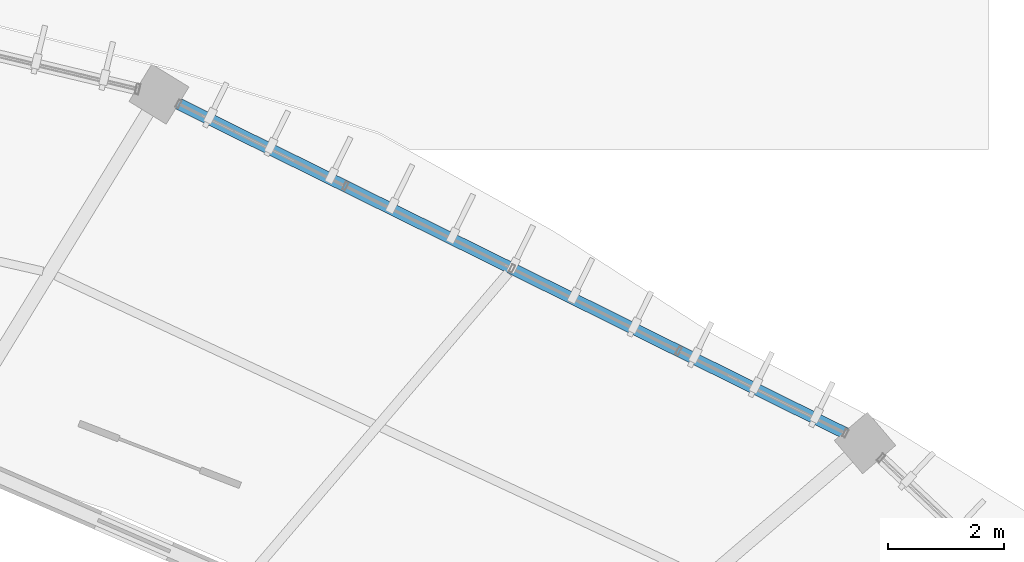
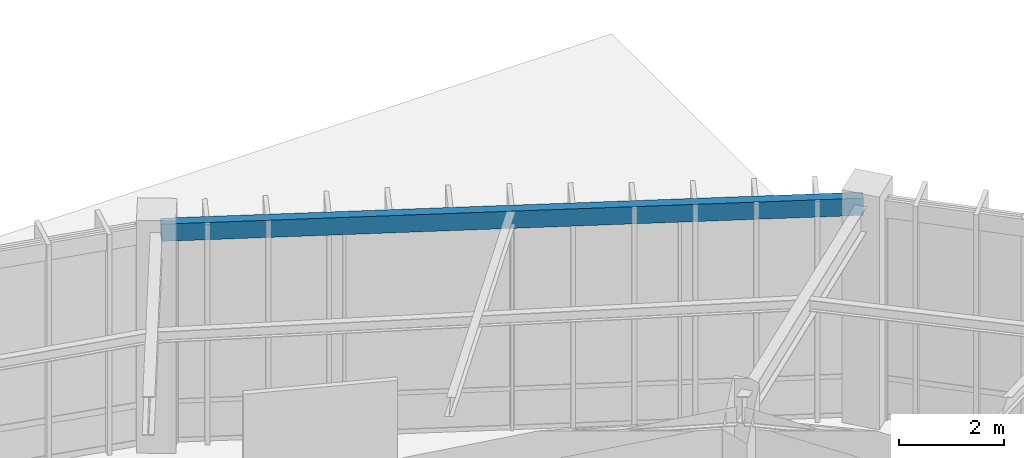
# One storey, part 83 of 157: 1 beam.
"""IFC4 building model written with IfcOpenShell, lengths in metres."""

from ifc_helpers import new_model, si_unit, direction, frame, origin, origin_2d, place, context, subcontext, project, spatial, hollow_rectangle, extrude, material, material_profile, profile_set, type_object, element, save


model = new_model("IFC4")

# Units and contexts
model_context = context("Model", 3, precision=1e-05, world=origin(), true_north=direction((0.0, 1.0)))
body_context = subcontext(model_context, "Body", "Model", "MODEL_VIEW")
ifc_project = project(units=[si_unit("LENGTHUNIT", "METRE"), si_unit("AREAUNIT", "SQUARE_METRE"), si_unit("VOLUMEUNIT", "CUBIC_METRE"), si_unit("PLANEANGLEUNIT", "RADIAN"), si_unit("MASSUNIT", "GRAM", prefix="KILO"), si_unit("THERMODYNAMICTEMPERATUREUNIT", "KELVIN"), si_unit("POWERUNIT", "WATT")], contexts=[model_context])

# Site, building, storey
site_placement = place(None, origin())
site = spatial("IfcSite", under=ifc_project, at=site_placement, CompositionType="ELEMENT")
building_placement = place(site_placement, origin())
building = spatial("IfcBuilding", under=site, at=building_placement, Name="Darbajah Civic Hall", CompositionType="ELEMENT")
storey_placement = place(building_placement, origin())
storey = spatial("IfcBuildingStorey", under=building, at=storey_placement, Name="L00", CompositionType="ELEMENT", Elevation=0.0)

# Beam
ifc_material = material(Name="Steel S355JR", Category="steel")
ifc_material_profile = material_profile(ifc_material, hollow_rectangle(XDim=0.199951171875, YDim=0.39990234375, WallThickness=0.013916015625, at=origin_2d()), Name="RHS 400x200x14")
ifc_profile_set = profile_set([ifc_material_profile], Name="Steel S355JR")
beam_type = type_object("IfcBeamType", Name="RHS 400x200x14", PredefinedType="SPANDREL", material=ifc_profile_set)
beam_placement = place(storey_placement, frame((127.80908203125, 108.994140625, 4.919921875), z_axis=(-0.896560149568, 0.442922000139, 0.0), x_axis=(-0.442922000139, -0.896560149568, 0.0)))
element("IfcBeam", 1, at=beam_placement, inside=storey, type_object=beam_type, Name="L00 beam SP-RHS400", PredefinedType="SPANDREL", context=body_context, shape_type="SweptSolid", body=[
    extrude(hollow_rectangle(XDim=0.199951171875, YDim=0.39990234375, WallThickness=0.013916015625, at=origin_2d()), origin(), (0.0, 0.0, 1.0), 13.373291015625),
])

save(model, "model.ifc")
